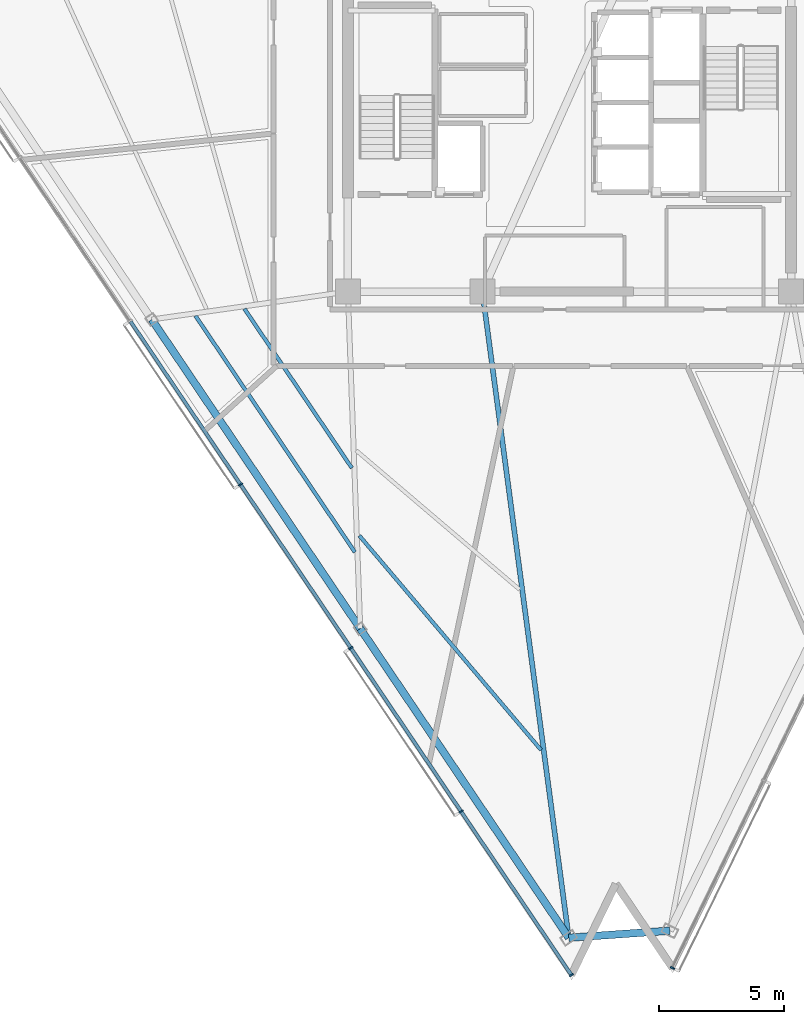
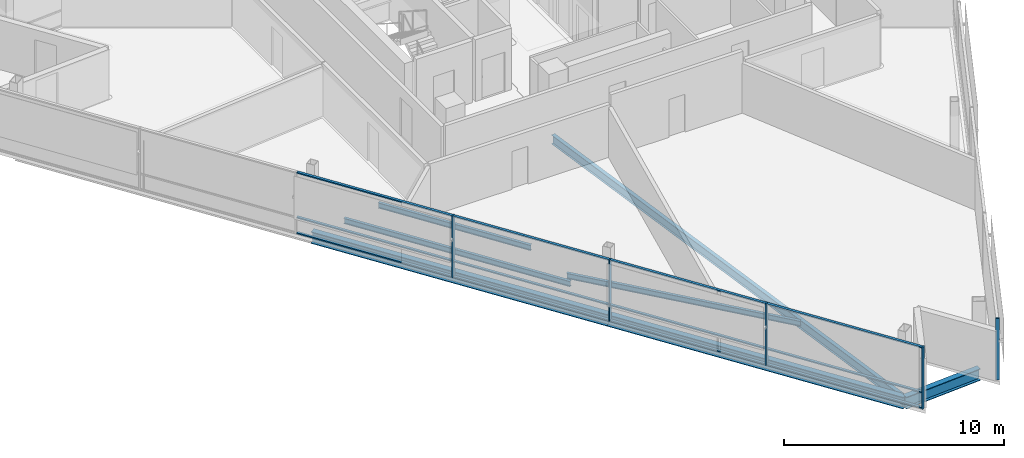
# One storey, part 2 of 16: 17 members, 7 beams, 2 elements without a shape of their own.
"""IFC4 building model written with IfcOpenShell, lengths in metres."""

from ifc_helpers import new_model, si_unit, direction, frame, origin, origin_2d, place, context, subcontext, project, spatial, rectangle, i_section, extrude, material, layer, layer_set, material_profile, profile_set, type_object, element, aggregate, save


model = new_model("IFC4")

# Units and contexts
model_context = context("Model", 3, precision=1e-05, world=origin(), true_north=direction((0.0, 1.0)))
body_context = subcontext(model_context, "Body", "Model", "MODEL_VIEW")
ifc_project = project(units=[si_unit("LENGTHUNIT", "METRE"), si_unit("AREAUNIT", "SQUARE_METRE"), si_unit("VOLUMEUNIT", "CUBIC_METRE"), si_unit("PLANEANGLEUNIT", "RADIAN"), si_unit("MASSUNIT", "GRAM", prefix="KILO")], contexts=[model_context])

# Site, building, storey
site_placement = place(None, origin())
site = spatial("IfcSite", under=ifc_project, at=site_placement, CompositionType="ELEMENT")
building_placement = place(site_placement, origin())
building = spatial("IfcBuilding", under=site, at=building_placement, Name="Tharavind Bronze Gate", CompositionType="ELEMENT")
storey_placement = place(building_placement, frame((0.0, 0.0, 260.60009765625)))
storey = spatial("IfcBuildingStorey", under=building, at=storey_placement, Name="L67", CompositionType="ELEMENT", Elevation=260.60009765625)

# Curtain wall, members
ifc_material_1 = material(Name="Anodised Bronze Aluminium", Category="aluminium")
ifc_layer = layer(ifc_material_1, 0.219970703125)
ifc_layer_set = layer_set([ifc_layer], Name="Anodised Bronze Aluminium")
curtain_wall_type = type_object("IfcCurtainWallType", Name="UNITISED CURTAIN WALL UPPER OFFICE", PredefinedType="USERDEFINED", material=ifc_layer_set)
curtain_wall_1_placement = place(storey_placement, origin())
curtain_wall_1 = element("IfcCurtainWall", 1, at=curtain_wall_1_placement, inside=storey, type_object=curtain_wall_type, Name="L67 unitised curtain wall upper office CW-L67-S1", ObjectType="UNITISED CURTAIN WALL", PredefinedType="USERDEFINED")
member_type_1 = type_object("IfcMemberType", Name="CURTAIN WALL BRONZE MULLION 65X180", PredefinedType="MULLION", material=ifc_material_1)
member_1_placement = place(storey_placement, frame((-13.211181640625, -15.3466796875, 0.0), z_axis=(0.0, 0.0, 1.0), x_axis=(0.559191456526, -0.82903854853, 0.0)))
member_1 = element("IfcMember", 2, at=member_1_placement, type_object=member_type_1, Name="CW-L67-S1 mullion 4", PredefinedType="MULLION", context=body_context, shape_type="SweptSolid", body=[
    extrude(rectangle(XDim=0.06494140625, YDim=0.179931640625, at=origin_2d()), origin(), (0.0, 0.0, 1.0), 3.419921875),
])
member_2_placement = place(storey_placement, frame((-8.781982421875, -21.912841796875, 0.0), z_axis=(0.0, 0.0, 1.0), x_axis=(0.559191456526, -0.82903854853, 0.0)))
member_2 = element("IfcMember", 3, at=member_2_placement, type_object=member_type_1, Name="CW-L67-S1 mullion 5", PredefinedType="MULLION", context=body_context, shape_type="SweptSolid", body=[
    extrude(rectangle(XDim=0.06494140625, YDim=0.179931640625, at=origin_2d()), origin(), (0.0, 0.0, 1.0), 3.419921875),
])
member_3_placement = place(storey_placement, frame((-4.35302734375, -28.47900390625, 0.0), z_axis=(0.0, 0.0, 1.0), x_axis=(0.559191456526, -0.82903854853, 0.0)))
member_3 = element("IfcMember", 4, at=member_3_placement, type_object=member_type_1, Name="CW-L67-S1 mullion 6", PredefinedType="MULLION", context=body_context, shape_type="SweptSolid", body=[
    extrude(rectangle(XDim=0.06494140625, YDim=0.179931640625, at=origin_2d()), origin(), (0.0, 0.0, 1.0), 3.419921875),
])
member_4_placement = place(storey_placement, frame((0.075927734375, -35.04541015625, 0.0), z_axis=(0.0, 0.0, 1.0), x_axis=(0.559191456526, -0.82903854853, 0.0)))
member_4 = element("IfcMember", 5, at=member_4_placement, type_object=member_type_1, Name="CW-L67-S1 mullion 7", PredefinedType="MULLION", context=body_context, shape_type="SweptSolid", body=[
    extrude(rectangle(XDim=0.06494140625, YDim=0.179931640625, at=origin_2d()), origin(), (0.0, 0.0, 1.0), 3.419921875),
])

# Curtain wall, member
curtain_wall_2_placement = place(storey_placement, origin())
curtain_wall_2 = element("IfcCurtainWall", 6, at=curtain_wall_2_placement, inside=storey, type_object=curtain_wall_type, Name="L67 unitised curtain wall upper office CW-L67-S2", ObjectType="UNITISED CURTAIN WALL", PredefinedType="USERDEFINED")
member_5_placement = place(storey_placement, frame((4.134033203125, -34.76171875, 0.0), z_axis=(0.0, 0.0, 1.0), x_axis=(0.43837271548, 0.898793281196, 0.0)))
member_5 = element("IfcMember", 7, at=member_5_placement, type_object=member_type_1, Name="CW-L67-S2 mullion 1", PredefinedType="MULLION", context=body_context, shape_type="SweptSolid", body=[
    extrude(rectangle(XDim=0.06494140625, YDim=0.179931640625, at=origin_2d()), origin(), (0.0, 0.0, 1.0), 3.419921875),
])
aggregate(curtain_wall_2, [member_5])

# Member
member_type_2 = type_object("IfcMemberType", Name="CURTAIN WALL BRONZE TRANSOM 65X140", PredefinedType="USERDEFINED", material=ifc_material_1)
member_6_placement = place(storey_placement, frame((-15.425537109375, -12.0634765625, 0.0), z_axis=(0.0, 0.0, 1.0), x_axis=(0.559191456526, -0.82903854853, 0.0)))
member_6 = element("IfcMember", 8, at=member_6_placement, type_object=member_type_2, Name="CW-L67-S1 transom TB3", ObjectType="TRANSOM", PredefinedType="USERDEFINED", context=body_context, shape_type="SweptSolid", body=[
    extrude(rectangle(XDim=7.8671875, YDim=0.139892578125, at=origin_2d()), origin(), (0.0, 0.0, 1.0), 0.06494140625),
])

member_7_placement = place(storey_placement, frame((-15.425537109375, -12.0634765625, 0.867431640625), z_axis=(0.0, 0.0, 1.0), x_axis=(0.559191456526, -0.82903854853, 0.0)))
member_7 = element("IfcMember", 9, at=member_7_placement, type_object=member_type_2, Name="CW-L67-S1 transom TS3", ObjectType="TRANSOM", PredefinedType="USERDEFINED", context=body_context, shape_type="SweptSolid", body=[
    extrude(rectangle(XDim=7.8671875, YDim=0.139892578125, at=origin_2d()), origin(), (0.0, 0.0, 1.0), 0.06494140625),
])

member_8_placement = place(storey_placement, frame((-15.425537109375, -12.0634765625, 3.35498046875), z_axis=(0.0, 0.0, 1.0), x_axis=(0.559191456526, -0.82903854853, 0.0)))
member_8 = element("IfcMember", 10, at=member_8_placement, type_object=member_type_2, Name="CW-L67-S1 transom TT3", ObjectType="TRANSOM", PredefinedType="USERDEFINED", context=body_context, shape_type="SweptSolid", body=[
    extrude(rectangle(XDim=7.8671875, YDim=0.139892578125, at=origin_2d()), origin(), (0.0, 0.0, 1.0), 0.06494140625),
])

member_9_placement = place(storey_placement, frame((-10.99658203125, -18.629638671875, 0.0), z_axis=(0.0, 0.0, 1.0), x_axis=(0.559191456526, -0.82903854853, 0.0)))
member_9 = element("IfcMember", 11, at=member_9_placement, type_object=member_type_2, Name="CW-L67-S1 transom TB4", ObjectType="TRANSOM", PredefinedType="USERDEFINED", context=body_context, shape_type="SweptSolid", body=[
    extrude(rectangle(XDim=7.8671875, YDim=0.139892578125, at=origin_2d()), origin(), (0.0, 0.0, 1.0), 0.06494140625),
])

member_10_placement = place(storey_placement, frame((-10.99658203125, -18.629638671875, 0.867431640625), z_axis=(0.0, 0.0, 1.0), x_axis=(0.559191456526, -0.82903854853, 0.0)))
member_10 = element("IfcMember", 12, at=member_10_placement, type_object=member_type_2, Name="CW-L67-S1 transom TS4", ObjectType="TRANSOM", PredefinedType="USERDEFINED", context=body_context, shape_type="SweptSolid", body=[
    extrude(rectangle(XDim=7.8671875, YDim=0.139892578125, at=origin_2d()), origin(), (0.0, 0.0, 1.0), 0.06494140625),
])

member_11_placement = place(storey_placement, frame((-10.99658203125, -18.629638671875, 3.35498046875), z_axis=(0.0, 0.0, 1.0), x_axis=(0.559191456526, -0.82903854853, 0.0)))
member_11 = element("IfcMember", 13, at=member_11_placement, type_object=member_type_2, Name="CW-L67-S1 transom TT4", ObjectType="TRANSOM", PredefinedType="USERDEFINED", context=body_context, shape_type="SweptSolid", body=[
    extrude(rectangle(XDim=7.8671875, YDim=0.139892578125, at=origin_2d()), origin(), (0.0, 0.0, 1.0), 0.06494140625),
])

member_12_placement = place(storey_placement, frame((-6.567626953125, -25.196044921875, 0.0), z_axis=(0.0, 0.0, 1.0), x_axis=(0.559191456526, -0.82903854853, 0.0)))
member_12 = element("IfcMember", 14, at=member_12_placement, type_object=member_type_2, Name="CW-L67-S1 transom TB5", ObjectType="TRANSOM", PredefinedType="USERDEFINED", context=body_context, shape_type="SweptSolid", body=[
    extrude(rectangle(XDim=7.8671875, YDim=0.139892578125, at=origin_2d()), origin(), (0.0, 0.0, 1.0), 0.06494140625),
])

member_13_placement = place(storey_placement, frame((-6.567626953125, -25.196044921875, 0.867431640625), z_axis=(0.0, 0.0, 1.0), x_axis=(0.559191456526, -0.82903854853, 0.0)))
member_13 = element("IfcMember", 15, at=member_13_placement, type_object=member_type_2, Name="CW-L67-S1 transom TS5", ObjectType="TRANSOM", PredefinedType="USERDEFINED", context=body_context, shape_type="SweptSolid", body=[
    extrude(rectangle(XDim=7.8671875, YDim=0.139892578125, at=origin_2d()), origin(), (0.0, 0.0, 1.0), 0.06494140625),
])

member_14_placement = place(storey_placement, frame((-6.567626953125, -25.196044921875, 3.35498046875), z_axis=(0.0, 0.0, 1.0), x_axis=(0.559191456526, -0.82903854853, 0.0)))
member_14 = element("IfcMember", 16, at=member_14_placement, type_object=member_type_2, Name="CW-L67-S1 transom TT5", ObjectType="TRANSOM", PredefinedType="USERDEFINED", context=body_context, shape_type="SweptSolid", body=[
    extrude(rectangle(XDim=7.8671875, YDim=0.139892578125, at=origin_2d()), origin(), (0.0, 0.0, 1.0), 0.06494140625),
])

member_15_placement = place(storey_placement, frame((-2.138671875, -31.76220703125, 0.0), z_axis=(0.0, 0.0, 1.0), x_axis=(0.559191456526, -0.82903854853, 0.0)))
member_15 = element("IfcMember", 17, at=member_15_placement, type_object=member_type_2, Name="CW-L67-S1 transom TB6", ObjectType="TRANSOM", PredefinedType="USERDEFINED", context=body_context, shape_type="SweptSolid", body=[
    extrude(rectangle(XDim=7.8671875, YDim=0.139892578125, at=origin_2d()), origin(), (0.0, 0.0, 1.0), 0.06494140625),
])

member_16_placement = place(storey_placement, frame((-2.138671875, -31.76220703125, 0.867431640625), z_axis=(0.0, 0.0, 1.0), x_axis=(0.559191456526, -0.82903854853, 0.0)))
member_16 = element("IfcMember", 18, at=member_16_placement, type_object=member_type_2, Name="CW-L67-S1 transom TS6", ObjectType="TRANSOM", PredefinedType="USERDEFINED", context=body_context, shape_type="SweptSolid", body=[
    extrude(rectangle(XDim=7.8671875, YDim=0.139892578125, at=origin_2d()), origin(), (0.0, 0.0, 1.0), 0.06494140625),
])

member_17_placement = place(storey_placement, frame((-2.138671875, -31.76220703125, 3.35498046875), z_axis=(0.0, 0.0, 1.0), x_axis=(0.559191456526, -0.82903854853, 0.0)))
member_17 = element("IfcMember", 19, at=member_17_placement, type_object=member_type_2, Name="CW-L67-S1 transom TT6", ObjectType="TRANSOM", PredefinedType="USERDEFINED", context=body_context, shape_type="SweptSolid", body=[
    extrude(rectangle(XDim=7.8671875, YDim=0.139892578125, at=origin_2d()), origin(), (0.0, 0.0, 1.0), 0.06494140625),
])

aggregate(curtain_wall_1, [member_1, member_2, member_3, member_4, member_6, member_7, member_8, member_9, member_10, member_11, member_12, member_13, member_14, member_15, member_16, member_17])

# Beams
ifc_material_2 = material(Name="Steel S355", Category="steel")
ifc_material_profile_1 = material_profile(ifc_material_2, i_section(OverallWidth=0.300048828125, OverallDepth=0.64990234375, WebThickness=0.01611328125, FlangeThickness=0.031005859375, at=origin_2d()), Name="HE650B")
ifc_profile_set_1 = profile_set([ifc_material_profile_1], Name="Steel S355")
beam_type_1 = type_object("IfcBeamType", Name="PRIMARY GIRDER HE650B", PredefinedType="USERDEFINED", material=ifc_profile_set_1)
for number, where, z_axis, x_axis, name in (
    (20, (-16.776123046875, -8.719970703125, -0.505126953125), (0.559195614283, -0.829035744083, 0.0), (0.829035744083, 0.559195614283, 0.0), "L67 primary girder he650b BM-L67-PRG02"),
    (21, (-8.40234375, -21.134521484375, -0.505126953125), (0.559184408692, -0.829043302292, 0.0), (0.829043302292, 0.559184408692, 0.0), "L67 primary girder he650b BM-L67-PRG03"),
):
    element("IfcBeam", number, at=place(storey_placement, frame(where, z_axis=z_axis, x_axis=x_axis)), inside=storey, type_object=beam_type_1, Name=name, ObjectType="GIRDER", PredefinedType="USERDEFINED", context=body_context, shape_type="SweptSolid", body=[
        extrude(i_section(OverallWidth=0.300048828125, OverallDepth=0.64990234375, WebThickness=0.01611328125, FlangeThickness=0.031005859375, at=origin_2d()), origin(), (0.0, 0.0, 1.0), 14.974609375),
    ])
beam_1_placement = place(storey_placement, frame((-0.02880859375, -33.549072265625, -0.505126953125), z_axis=(0.997561224107, 0.069796877851, 0.0), x_axis=(-0.069796877851, 0.997561224107, 0.0)))
element("IfcBeam", 22, at=beam_1_placement, inside=storey, type_object=beam_type_1, Name="L67 primary girder he650b BM-L67-PRG04", ObjectType="GIRDER", PredefinedType="USERDEFINED", context=body_context, shape_type="SweptSolid", body=[
    extrude(i_section(OverallWidth=0.300048828125, OverallDepth=0.64990234375, WebThickness=0.01611328125, FlangeThickness=0.031005859375, at=origin_2d()), origin(), (0.0, 0.0, 1.0), 4.068115234375),
])
ifc_material_profile_2 = material_profile(ifc_material_2, i_section(OverallWidth=0.199951171875, OverallDepth=0.5, WebThickness=0.01025390625, FlangeThickness=0.01611328125, at=origin_2d()), Name="IPE500")
ifc_profile_set_2 = profile_set([ifc_material_profile_2], Name="Steel S355")
beam_type_2 = type_object("IfcBeamType", Name="PRIMARY GIRDER IPE500", PredefinedType="USERDEFINED", material=ifc_profile_set_2)
beam_2_placement = place(storey_placement, frame((-0.02880859375, -33.549072265625, -0.43017578125), z_axis=(-0.132588849442, 0.991171123976, 0.0), x_axis=(-0.991171123976, -0.132588849442, 0.0)))
element("IfcBeam", 23, at=beam_2_placement, inside=storey, type_object=beam_type_2, Name="L67 primary girder ipe500 BM-L67-RAD04", ObjectType="GIRDER", PredefinedType="USERDEFINED", context=body_context, shape_type="SweptSolid", body=[
    extrude(i_section(OverallWidth=0.199951171875, OverallDepth=0.5, WebThickness=0.01025390625, FlangeThickness=0.01611328125, at=origin_2d()), origin(), (0.0, 0.0, 1.0), 26.18017578125),
])
ifc_material_profile_3 = material_profile(ifc_material_2, i_section(OverallWidth=0.14990234375, OverallDepth=0.300048828125, WebThickness=0.007080078125, FlangeThickness=0.0107421875, at=origin_2d()), Name="IPE300")
ifc_profile_set_3 = profile_set([ifc_material_profile_3], Name="Steel S355")
beam_type_3 = type_object("IfcBeamType", Name="SECONDARY FLOOR JOIST IPE300", PredefinedType="JOIST", material=ifc_profile_set_3)
beam_3_placement = place(storey_placement, frame((-13.04931640625, -8.294677734375, -0.330078125), z_axis=(0.559190305192, -0.82903932511, 0.0), x_axis=(0.82903932511, 0.559190305192, 0.0)))
element("IfcBeam", 24, at=beam_3_placement, inside=storey, type_object=beam_type_3, Name="L67 secondary floor joist ipe300 BM-L67-JSTA02", PredefinedType="JOIST", context=body_context, shape_type="SweptSolid", body=[
    extrude(i_section(OverallWidth=0.14990234375, OverallDepth=0.300048828125, WebThickness=0.007080078125, FlangeThickness=0.0107421875, at=origin_2d()), origin(), (0.0, 0.0, 1.0), 7.702880859375),
])
beam_4_placement = place(storey_placement, frame((-15.018310546875, -8.57470703125, -0.330078125), z_axis=(0.559200650342, -0.829032347172, 0.0), x_axis=(0.829032347172, 0.559200650342, 0.0)))
element("IfcBeam", 25, at=beam_4_placement, inside=storey, type_object=beam_type_3, Name="L67 secondary floor joist ipe300 BM-L67-JSTB02", PredefinedType="JOIST", context=body_context, shape_type="SweptSolid", body=[
    extrude(i_section(OverallWidth=0.14990234375, OverallDepth=0.300048828125, WebThickness=0.007080078125, FlangeThickness=0.0107421875, at=origin_2d()), origin(), (0.0, 0.0, 1.0), 11.446533203125),
])
beam_5_placement = place(storey_placement, frame((-8.43701171875, -17.403564453125, -0.330078125), z_axis=(0.646710156103, -0.762735848111, 0.0), x_axis=(0.762735848111, 0.646710156103, 0.0)))
element("IfcBeam", 26, at=beam_5_placement, inside=storey, type_object=beam_type_3, Name="L67 secondary floor joist ipe300 BM-L67-JSTB03", PredefinedType="JOIST", context=body_context, shape_type="SweptSolid", body=[
    extrude(i_section(OverallWidth=0.14990234375, OverallDepth=0.300048828125, WebThickness=0.007080078125, FlangeThickness=0.0107421875, at=origin_2d()), origin(), (0.0, 0.0, 1.0), 11.28271484375),
])

save(model, "model.ifc")
